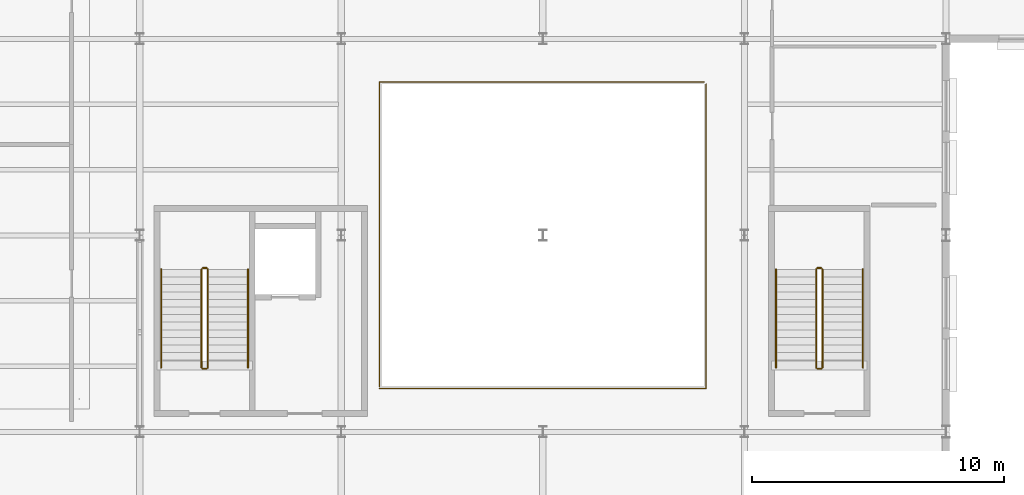
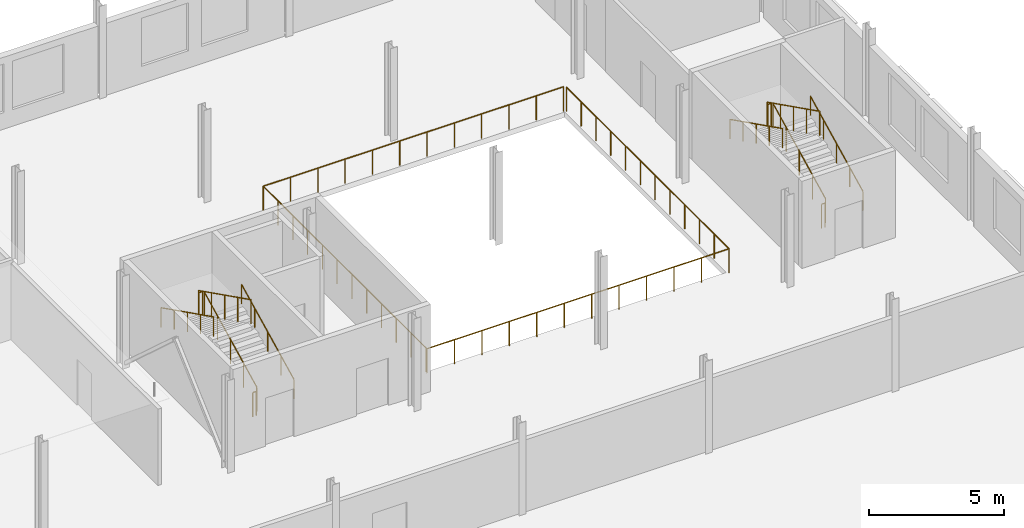
# One storey, part 73 of 75: 14 railings.
"""IFC4 building model written with IfcOpenShell, lengths in metres."""

from ifc_helpers import new_model, si_unit, direction, frame, origin, origin_2d, place, context, subcontext, project, spatial, circle, extrude, material, layer, layer_set, type_object, element, save


model = new_model("IFC4")

# Units and contexts
model_context = context("Model", 3, precision=1e-05, world=origin(), true_north=direction((0.0, 1.0)))
body_context = subcontext(model_context, "Body", "Model", "MODEL_VIEW")
ifc_project = project(units=[si_unit("LENGTHUNIT", "METRE"), si_unit("AREAUNIT", "SQUARE_METRE"), si_unit("VOLUMEUNIT", "CUBIC_METRE"), si_unit("PLANEANGLEUNIT", "RADIAN"), si_unit("MASSUNIT", "GRAM", prefix="KILO")], contexts=[model_context])

# Site, building, storey
site_placement = place(None, origin())
site = spatial("IfcSite", under=ifc_project, at=site_placement, CompositionType="ELEMENT")
building_placement = place(site_placement, origin())
building = spatial("IfcBuilding", under=site, at=building_placement, Name="Yukiwa Park Conservatory and Herbarium", CompositionType="ELEMENT")
storey_placement = place(building_placement, frame((0.0, 0.0, 4.800048828125)))
storey = spatial("IfcBuildingStorey", under=building, at=storey_placement, Name="L01", CompositionType="ELEMENT", Elevation=4.800048828125)

# Railings
ifc_material_1 = material(Name="Steel Q235B", Category="steel")
ifc_layer_1 = layer(ifc_material_1, 0.050048828125)
ifc_layer_set_1 = layer_set([ifc_layer_1], Name="Steel Q235B")
railing_type_1 = type_object("IfcRailingType", Name="RL-STAIR-GUARD-1120", PredefinedType="BALUSTRADE", material=ifc_layer_set_1)
railing_1_placement = place(storey_placement, frame((78.699951171875, 57.14990234375, 0.14990234375)))
element("IfcRailing", 1, at=railing_1_placement, inside=storey, type_object=railing_type_1, Name="L01 ST-V1 stair guard 1", PredefinedType="BALUSTRADE", context=body_context, shape_type="SweptSolid", body=[
    extrude(circle(Radius=0.02392578125, at=origin_2d()), frame((0.0, 0.0, 1.09619140625), z_axis=(0.0, 0.894438388696, 0.447191199406), x_axis=(-1.0, 0.0, 0.0)), (0.0, 0.0, 1.0), 4.3603515625),
    extrude(circle(Radius=0.02099609375, at=origin_2d()), origin(), (0.0, 0.0, 1.0), 1.072021484375),
    extrude(circle(Radius=0.02099609375, at=origin_2d()), frame((0.0, 0.97509765625, 0.487548828125)), (0.0, 0.0, 1.0), 1.072021484375),
    extrude(circle(Radius=0.02099609375, at=origin_2d()), frame((0.0, 1.9501953125, 0.97509765625)), (0.0, 0.0, 1.0), 1.072021484375),
    extrude(circle(Radius=0.02099609375, at=origin_2d()), frame((0.0, 2.925048828125, 1.46240234375)), (0.0, 0.0, 1.0), 1.072021484375),
    extrude(circle(Radius=0.02099609375, at=origin_2d()), frame((0.0, 3.900146484375, 1.949951171875)), (0.0, 0.0, 1.0), 1.072021484375),
])
railing_2_placement = place(storey_placement, frame((78.64990234375, 61.10009765625, 2.099853515625)))
element("IfcRailing", 2, at=railing_2_placement, inside=storey, type_object=railing_type_1, Name="L01 ST-V1 stair guard 2", PredefinedType="BALUSTRADE", context=body_context, shape_type="SweptSolid", body=[
    extrude(circle(Radius=0.02392578125, at=origin_2d()), frame((0.0, 0.0, 1.09619140625), z_axis=(-1.0, 0.0, 0.0), x_axis=(0.0, -1.0, 0.0)), (0.0, 0.0, 1.0), 0.14990234375),
    extrude(circle(Radius=0.02099609375, at=origin_2d()), origin(), (0.0, 0.0, 1.0), 1.072021484375),
    extrude(circle(Radius=0.02099609375, at=origin_2d()), frame((-0.14990234375, 0.0, 0.0)), (0.0, 0.0, 1.0), 1.072021484375),
])
railing_3_placement = place(storey_placement, frame((78.449951171875, 61.050048828125, 2.25)))
element("IfcRailing", 3, at=railing_3_placement, inside=storey, type_object=railing_type_1, Name="L01 ST-V1 stair guard 3", PredefinedType="BALUSTRADE", context=body_context, shape_type="SweptSolid", body=[
    extrude(circle(Radius=0.02392578125, at=origin_2d()), frame((0.0, 0.0, 1.09619140625), z_axis=(0.0, -0.894438388696, 0.447191199406), x_axis=(1.0, 0.0, 0.0)), (0.0, 0.0, 1.0), 4.3603515625),
    extrude(circle(Radius=0.02099609375, at=origin_2d()), origin(), (0.0, 0.0, 1.0), 1.072021484375),
    extrude(circle(Radius=0.02099609375, at=origin_2d()), frame((0.0, -0.97509765625, 0.487548828125)), (0.0, 0.0, 1.0), 1.072021484375),
    extrude(circle(Radius=0.02099609375, at=origin_2d()), frame((0.0, -1.9501953125, 0.97509765625)), (0.0, 0.0, 1.0), 1.072021484375),
    extrude(circle(Radius=0.02099609375, at=origin_2d()), frame((0.0, -2.925048828125, 1.46240234375)), (0.0, 0.0, 1.0), 1.072021484375),
    extrude(circle(Radius=0.02099609375, at=origin_2d()), frame((0.0, -3.900146484375, 1.949951171875)), (0.0, 0.0, 1.0), 1.072021484375),
])
railing_4_placement = place(storey_placement, frame((78.64990234375, 57.10009765625, 0.0)))
element("IfcRailing", 4, at=railing_4_placement, inside=storey, type_object=railing_type_1, Name="L01 ST-V1 stair guard 4", PredefinedType="BALUSTRADE", context=body_context, shape_type="SweptSolid", body=[
    extrude(circle(Radius=0.02392578125, at=origin_2d()), frame((0.0, 0.0, 1.09619140625), z_axis=(-1.0, 0.0, 0.0), x_axis=(0.0, -1.0, 0.0)), (0.0, 0.0, 1.0), 0.14990234375),
    extrude(circle(Radius=0.02099609375, at=origin_2d()), origin(), (0.0, 0.0, 1.0), 1.072021484375),
    extrude(circle(Radius=0.02099609375, at=origin_2d()), frame((-0.14990234375, 0.0, 0.0)), (0.0, 0.0, 1.0), 1.072021484375),
])
railing_5_placement = place(storey_placement, frame((103.10009765625, 57.14990234375, 0.14990234375)))
element("IfcRailing", 5, at=railing_5_placement, inside=storey, type_object=railing_type_1, Name="L01 ST-V2 stair guard 1", PredefinedType="BALUSTRADE", context=body_context, shape_type="SweptSolid", body=[
    extrude(circle(Radius=0.02392578125, at=origin_2d()), frame((0.0, 0.0, 1.09619140625), z_axis=(0.0, 0.894438388696, 0.447191199406), x_axis=(-1.0, 0.0, 0.0)), (0.0, 0.0, 1.0), 4.3603515625),
    extrude(circle(Radius=0.02099609375, at=origin_2d()), origin(), (0.0, 0.0, 1.0), 1.072021484375),
    extrude(circle(Radius=0.02099609375, at=origin_2d()), frame((0.0, 0.97509765625, 0.487548828125)), (0.0, 0.0, 1.0), 1.072021484375),
    extrude(circle(Radius=0.02099609375, at=origin_2d()), frame((0.0, 1.9501953125, 0.97509765625)), (0.0, 0.0, 1.0), 1.072021484375),
    extrude(circle(Radius=0.02099609375, at=origin_2d()), frame((0.0, 2.925048828125, 1.46240234375)), (0.0, 0.0, 1.0), 1.072021484375),
    extrude(circle(Radius=0.02099609375, at=origin_2d()), frame((0.0, 3.900146484375, 1.949951171875)), (0.0, 0.0, 1.0), 1.072021484375),
])
railing_6_placement = place(storey_placement, frame((103.050048828125, 61.10009765625, 2.099853515625)))
element("IfcRailing", 6, at=railing_6_placement, inside=storey, type_object=railing_type_1, Name="L01 ST-V2 stair guard 2", PredefinedType="BALUSTRADE", context=body_context, shape_type="SweptSolid", body=[
    extrude(circle(Radius=0.02392578125, at=origin_2d()), frame((0.0, 0.0, 1.09619140625), z_axis=(-1.0, 0.0, 0.0), x_axis=(0.0, -1.0, 0.0)), (0.0, 0.0, 1.0), 0.150146484375),
    extrude(circle(Radius=0.02099609375, at=origin_2d()), origin(), (0.0, 0.0, 1.0), 1.072021484375),
    extrude(circle(Radius=0.02099609375, at=origin_2d()), frame((-0.150146484375, 0.0, 0.0)), (0.0, 0.0, 1.0), 1.072021484375),
])
railing_7_placement = place(storey_placement, frame((102.85009765625, 61.050048828125, 2.25)))
element("IfcRailing", 7, at=railing_7_placement, inside=storey, type_object=railing_type_1, Name="L01 ST-V2 stair guard 3", PredefinedType="BALUSTRADE", context=body_context, shape_type="SweptSolid", body=[
    extrude(circle(Radius=0.02392578125, at=origin_2d()), frame((0.0, 0.0, 1.09619140625), z_axis=(0.0, -0.894438388696, 0.447191199406), x_axis=(1.0, 0.0, 0.0)), (0.0, 0.0, 1.0), 4.3603515625),
    extrude(circle(Radius=0.02099609375, at=origin_2d()), origin(), (0.0, 0.0, 1.0), 1.072021484375),
    extrude(circle(Radius=0.02099609375, at=origin_2d()), frame((0.0, -0.97509765625, 0.487548828125)), (0.0, 0.0, 1.0), 1.072021484375),
    extrude(circle(Radius=0.02099609375, at=origin_2d()), frame((0.0, -1.9501953125, 0.97509765625)), (0.0, 0.0, 1.0), 1.072021484375),
    extrude(circle(Radius=0.02099609375, at=origin_2d()), frame((0.0, -2.925048828125, 1.46240234375)), (0.0, 0.0, 1.0), 1.072021484375),
    extrude(circle(Radius=0.02099609375, at=origin_2d()), frame((0.0, -3.900146484375, 1.949951171875)), (0.0, 0.0, 1.0), 1.072021484375),
])
railing_8_placement = place(storey_placement, frame((103.050048828125, 57.10009765625, 0.0)))
element("IfcRailing", 8, at=railing_8_placement, inside=storey, type_object=railing_type_1, Name="L01 ST-V2 stair guard 4", PredefinedType="BALUSTRADE", context=body_context, shape_type="SweptSolid", body=[
    extrude(circle(Radius=0.02392578125, at=origin_2d()), frame((0.0, 0.0, 1.09619140625), z_axis=(-1.0, 0.0, 0.0), x_axis=(0.0, -1.0, 0.0)), (0.0, 0.0, 1.0), 0.150146484375),
    extrude(circle(Radius=0.02099609375, at=origin_2d()), origin(), (0.0, 0.0, 1.0), 1.072021484375),
    extrude(circle(Radius=0.02099609375, at=origin_2d()), frame((-0.150146484375, 0.0, 0.0)), (0.0, 0.0, 1.0), 1.072021484375),
])
ifc_material_2 = material(Name="Steel Q235B", Category="steel")
ifc_layer_2 = layer(ifc_material_2, 0.044921875)
ifc_layer_set_2 = layer_set([ifc_layer_2], Name="Steel Q235B")
railing_type_2 = type_object("IfcRailingType", Name="RL-STAIR-RAIL-900", PredefinedType="HANDRAIL", material=ifc_layer_set_2)
railing_9_placement = place(storey_placement, frame((80.300048828125, 57.14990234375, 0.14990234375)))
element("IfcRailing", 9, at=railing_9_placement, inside=storey, type_object=railing_type_2, Name="L01 ST-V1 stair handrail 1", PredefinedType="HANDRAIL", context=body_context, shape_type="SweptSolid", body=[
    extrude(circle(Radius=0.02392578125, at=origin_2d()), frame((0.0, 0.0, 0.8759765625), z_axis=(0.0, 0.894438388696, 0.447191199406), x_axis=(-1.0, 0.0, 0.0)), (0.0, 0.0, 1.0), 4.3603515625),
    extrude(circle(Radius=0.02099609375, at=origin_2d()), origin(), (0.0, 0.0, 1.0), 0.851806640625),
    extrude(circle(Radius=0.02099609375, at=origin_2d()), frame((0.0, 0.97509765625, 0.487548828125)), (0.0, 0.0, 1.0), 0.851806640625),
    extrude(circle(Radius=0.02099609375, at=origin_2d()), frame((0.0, 1.9501953125, 0.97509765625)), (0.0, 0.0, 1.0), 0.851806640625),
    extrude(circle(Radius=0.02099609375, at=origin_2d()), frame((0.0, 2.925048828125, 1.46240234375)), (0.0, 0.0, 1.0), 0.851806640625),
    extrude(circle(Radius=0.02099609375, at=origin_2d()), frame((0.0, 3.900146484375, 1.949951171875)), (0.0, 0.0, 1.0), 0.851806640625),
])
railing_10_placement = place(storey_placement, frame((76.85009765625, 61.050048828125, 2.25)))
element("IfcRailing", 10, at=railing_10_placement, inside=storey, type_object=railing_type_2, Name="L01 ST-V1 stair handrail 2", PredefinedType="HANDRAIL", context=body_context, shape_type="SweptSolid", body=[
    extrude(circle(Radius=0.02392578125, at=origin_2d()), frame((0.0, 0.0, 0.8759765625), z_axis=(0.0, -0.894438388696, 0.447191199406), x_axis=(1.0, 0.0, 0.0)), (0.0, 0.0, 1.0), 4.3603515625),
    extrude(circle(Radius=0.02099609375, at=origin_2d()), origin(), (0.0, 0.0, 1.0), 0.851806640625),
    extrude(circle(Radius=0.02099609375, at=origin_2d()), frame((0.0, -0.97509765625, 0.487548828125)), (0.0, 0.0, 1.0), 0.851806640625),
    extrude(circle(Radius=0.02099609375, at=origin_2d()), frame((0.0, -1.9501953125, 0.97509765625)), (0.0, 0.0, 1.0), 0.851806640625),
    extrude(circle(Radius=0.02099609375, at=origin_2d()), frame((0.0, -2.925048828125, 1.46240234375)), (0.0, 0.0, 1.0), 0.851806640625),
    extrude(circle(Radius=0.02099609375, at=origin_2d()), frame((0.0, -3.900146484375, 1.949951171875)), (0.0, 0.0, 1.0), 0.851806640625),
])
railing_11_placement = place(storey_placement, frame((104.699951171875, 57.14990234375, 0.14990234375)))
element("IfcRailing", 11, at=railing_11_placement, inside=storey, type_object=railing_type_2, Name="L01 ST-V2 stair handrail 1", PredefinedType="HANDRAIL", context=body_context, shape_type="SweptSolid", body=[
    extrude(circle(Radius=0.02392578125, at=origin_2d()), frame((0.0, 0.0, 0.8759765625), z_axis=(0.0, 0.894438388696, 0.447191199406), x_axis=(-1.0, 0.0, 0.0)), (0.0, 0.0, 1.0), 4.3603515625),
    extrude(circle(Radius=0.02099609375, at=origin_2d()), origin(), (0.0, 0.0, 1.0), 0.851806640625),
    extrude(circle(Radius=0.02099609375, at=origin_2d()), frame((0.0, 0.97509765625, 0.487548828125)), (0.0, 0.0, 1.0), 0.851806640625),
    extrude(circle(Radius=0.02099609375, at=origin_2d()), frame((0.0, 1.9501953125, 0.97509765625)), (0.0, 0.0, 1.0), 0.851806640625),
    extrude(circle(Radius=0.02099609375, at=origin_2d()), frame((0.0, 2.925048828125, 1.46240234375)), (0.0, 0.0, 1.0), 0.851806640625),
    extrude(circle(Radius=0.02099609375, at=origin_2d()), frame((0.0, 3.900146484375, 1.949951171875)), (0.0, 0.0, 1.0), 0.851806640625),
])
railing_12_placement = place(storey_placement, frame((101.25, 61.050048828125, 2.25)))
element("IfcRailing", 12, at=railing_12_placement, inside=storey, type_object=railing_type_2, Name="L01 ST-V2 stair handrail 2", PredefinedType="HANDRAIL", context=body_context, shape_type="SweptSolid", body=[
    extrude(circle(Radius=0.02392578125, at=origin_2d()), frame((0.0, 0.0, 0.8759765625), z_axis=(0.0, -0.894438388696, 0.447191199406), x_axis=(1.0, 0.0, 0.0)), (0.0, 0.0, 1.0), 4.3603515625),
    extrude(circle(Radius=0.02099609375, at=origin_2d()), origin(), (0.0, 0.0, 1.0), 0.851806640625),
    extrude(circle(Radius=0.02099609375, at=origin_2d()), frame((0.0, -0.97509765625, 0.487548828125)), (0.0, 0.0, 1.0), 0.851806640625),
    extrude(circle(Radius=0.02099609375, at=origin_2d()), frame((0.0, -1.9501953125, 0.97509765625)), (0.0, 0.0, 1.0), 0.851806640625),
    extrude(circle(Radius=0.02099609375, at=origin_2d()), frame((0.0, -2.925048828125, 1.46240234375)), (0.0, 0.0, 1.0), 0.851806640625),
    extrude(circle(Radius=0.02099609375, at=origin_2d()), frame((0.0, -3.900146484375, 1.949951171875)), (0.0, 0.0, 1.0), 0.851806640625),
])
ifc_material_3 = material(Name="Laminated Tempered Safety Glass", Category="glass")
ifc_layer_3 = layer(ifc_material_3, 0.06005859375)
ifc_layer_set_3 = layer_set([ifc_layer_3], Name="Laminated Tempered Safety Glass")
railing_type_3 = type_object("IfcRailingType", Name="RL-VOID-GUARD-1120", PredefinedType="BALUSTRADE", material=ifc_layer_set_3)
railing_13_placement = place(storey_placement, frame((85.52001953125, 56.320068359375, 0.0)))
element("IfcRailing", 13, at=railing_13_placement, inside=storey, type_object=railing_type_3, Name="L01 interior atrium and mezzanine balustrade RL-INT-L01-V3VOID-A", PredefinedType="BALUSTRADE", context=body_context, shape_type="SweptSolid", body=[
    extrude(circle(Radius=0.02392578125, at=origin_2d()), frame((0.0, 0.0, 1.09619140625), z_axis=(1.0, 0.0, 0.0), x_axis=(0.0, 1.0, 0.0)), (0.0, 0.0, 1.0), 12.9599609375),
    extrude(circle(Radius=0.02392578125, at=origin_2d()), frame((12.9599609375, 0.0, 1.09619140625), z_axis=(0.0, 1.0, 0.0), x_axis=(-1.0, 0.0, 0.0)), (0.0, 0.0, 1.0), 12.079833984375),
    extrude(circle(Radius=0.02099609375, at=origin_2d()), origin(), (0.0, 0.0, 1.0), 1.072021484375),
    extrude(circle(Radius=0.02099609375, at=origin_2d()), frame((1.17822265625, 0.0, 0.0)), (0.0, 0.0, 1.0), 1.072021484375),
    extrude(circle(Radius=0.02099609375, at=origin_2d()), frame((2.3564453125, 0.0, 0.0)), (0.0, 0.0, 1.0), 1.072021484375),
    extrude(circle(Radius=0.02099609375, at=origin_2d()), frame((3.534423828125, 0.0, 0.0)), (0.0, 0.0, 1.0), 1.072021484375),
    extrude(circle(Radius=0.02099609375, at=origin_2d()), frame((4.712646484375, 0.0, 0.0)), (0.0, 0.0, 1.0), 1.072021484375),
    extrude(circle(Radius=0.02099609375, at=origin_2d()), frame((5.890869140625, 0.0, 0.0)), (0.0, 0.0, 1.0), 1.072021484375),
    extrude(circle(Radius=0.02099609375, at=origin_2d()), frame((7.069091796875, 0.0, 0.0)), (0.0, 0.0, 1.0), 1.072021484375),
    extrude(circle(Radius=0.02099609375, at=origin_2d()), frame((8.247314453125, 0.0, 0.0)), (0.0, 0.0, 1.0), 1.072021484375),
    extrude(circle(Radius=0.02099609375, at=origin_2d()), frame((9.425537109375, 0.0, 0.0)), (0.0, 0.0, 1.0), 1.072021484375),
    extrude(circle(Radius=0.02099609375, at=origin_2d()), frame((10.603515625, 0.0, 0.0)), (0.0, 0.0, 1.0), 1.072021484375),
    extrude(circle(Radius=0.02099609375, at=origin_2d()), frame((11.78173828125, 0.0, 0.0)), (0.0, 0.0, 1.0), 1.072021484375),
    extrude(circle(Radius=0.02099609375, at=origin_2d()), frame((12.9599609375, 0.0, 0.0)), (0.0, 0.0, 1.0), 1.072021484375),
    extrude(circle(Radius=0.02099609375, at=origin_2d()), frame((12.9599609375, 1.09814453125, 0.0)), (0.0, 0.0, 1.0), 1.072021484375),
    extrude(circle(Radius=0.02099609375, at=origin_2d()), frame((12.9599609375, 2.1962890625, 0.0)), (0.0, 0.0, 1.0), 1.072021484375),
    extrude(circle(Radius=0.02099609375, at=origin_2d()), frame((12.9599609375, 3.29443359375, 0.0)), (0.0, 0.0, 1.0), 1.072021484375),
    extrude(circle(Radius=0.02099609375, at=origin_2d()), frame((12.9599609375, 4.392578125, 0.0)), (0.0, 0.0, 1.0), 1.072021484375),
    extrude(circle(Radius=0.02099609375, at=origin_2d()), frame((12.9599609375, 5.49072265625, 0.0)), (0.0, 0.0, 1.0), 1.072021484375),
    extrude(circle(Radius=0.02099609375, at=origin_2d()), frame((12.9599609375, 6.589111328125, 0.0)), (0.0, 0.0, 1.0), 1.072021484375),
    extrude(circle(Radius=0.02099609375, at=origin_2d()), frame((12.9599609375, 7.687255859375, 0.0)), (0.0, 0.0, 1.0), 1.072021484375),
    extrude(circle(Radius=0.02099609375, at=origin_2d()), frame((12.9599609375, 8.785400390625, 0.0)), (0.0, 0.0, 1.0), 1.072021484375),
    extrude(circle(Radius=0.02099609375, at=origin_2d()), frame((12.9599609375, 9.883544921875, 0.0)), (0.0, 0.0, 1.0), 1.072021484375),
    extrude(circle(Radius=0.02099609375, at=origin_2d()), frame((12.9599609375, 10.981689453125, 0.0)), (0.0, 0.0, 1.0), 1.072021484375),
    extrude(circle(Radius=0.02099609375, at=origin_2d()), frame((12.9599609375, 12.079833984375, 0.0)), (0.0, 0.0, 1.0), 1.072021484375),
])
railing_14_placement = place(storey_placement, frame((98.39990234375, 68.47998046875, 0.0)))
element("IfcRailing", 14, at=railing_14_placement, inside=storey, type_object=railing_type_3, Name="L01 interior atrium and mezzanine balustrade RL-INT-L01-V3VOID-B", PredefinedType="BALUSTRADE", context=body_context, shape_type="SweptSolid", body=[
    extrude(circle(Radius=0.02392578125, at=origin_2d()), frame((0.0, 0.0, 1.09619140625), z_axis=(-1.0, 0.0, 0.0), x_axis=(0.0, -1.0, 0.0)), (0.0, 0.0, 1.0), 12.8798828125),
    extrude(circle(Radius=0.02392578125, at=origin_2d()), frame((-12.8798828125, 0.0, 1.09619140625), z_axis=(0.0, -1.0, 0.0), x_axis=(1.0, 0.0, 0.0)), (0.0, 0.0, 1.0), 12.080078125),
    extrude(circle(Radius=0.02099609375, at=origin_2d()), origin(), (0.0, 0.0, 1.0), 1.072021484375),
    extrude(circle(Radius=0.02099609375, at=origin_2d()), frame((-1.1708984375, 0.0, 0.0)), (0.0, 0.0, 1.0), 1.072021484375),
    extrude(circle(Radius=0.02099609375, at=origin_2d()), frame((-2.341796875, 0.0, 0.0)), (0.0, 0.0, 1.0), 1.072021484375),
    extrude(circle(Radius=0.02099609375, at=origin_2d()), frame((-3.5126953125, 0.0, 0.0)), (0.0, 0.0, 1.0), 1.072021484375),
    extrude(circle(Radius=0.02099609375, at=origin_2d()), frame((-4.68359375, 0.0, 0.0)), (0.0, 0.0, 1.0), 1.072021484375),
    extrude(circle(Radius=0.02099609375, at=origin_2d()), frame((-5.8544921875, 0.0, 0.0)), (0.0, 0.0, 1.0), 1.072021484375),
    extrude(circle(Radius=0.02099609375, at=origin_2d()), frame((-7.025390625, 0.0, 0.0)), (0.0, 0.0, 1.0), 1.072021484375),
    extrude(circle(Radius=0.02099609375, at=origin_2d()), frame((-8.1962890625, 0.0, 0.0)), (0.0, 0.0, 1.0), 1.072021484375),
    extrude(circle(Radius=0.02099609375, at=origin_2d()), frame((-9.3671875, 0.0, 0.0)), (0.0, 0.0, 1.0), 1.072021484375),
    extrude(circle(Radius=0.02099609375, at=origin_2d()), frame((-10.5380859375, 0.0, 0.0)), (0.0, 0.0, 1.0), 1.072021484375),
    extrude(circle(Radius=0.02099609375, at=origin_2d()), frame((-11.708984375, 0.0, 0.0)), (0.0, 0.0, 1.0), 1.072021484375),
    extrude(circle(Radius=0.02099609375, at=origin_2d()), frame((-12.8798828125, 0.0, 0.0)), (0.0, 0.0, 1.0), 1.072021484375),
    extrude(circle(Radius=0.02099609375, at=origin_2d()), frame((-12.8798828125, -1.09814453125, 0.0)), (0.0, 0.0, 1.0), 1.072021484375),
    extrude(circle(Radius=0.02099609375, at=origin_2d()), frame((-12.8798828125, -2.1962890625, 0.0)), (0.0, 0.0, 1.0), 1.072021484375),
    extrude(circle(Radius=0.02099609375, at=origin_2d()), frame((-12.8798828125, -3.294677734375, 0.0)), (0.0, 0.0, 1.0), 1.072021484375),
    extrude(circle(Radius=0.02099609375, at=origin_2d()), frame((-12.8798828125, -4.392822265625, 0.0)), (0.0, 0.0, 1.0), 1.072021484375),
    extrude(circle(Radius=0.02099609375, at=origin_2d()), frame((-12.8798828125, -5.490966796875, 0.0)), (0.0, 0.0, 1.0), 1.072021484375),
    extrude(circle(Radius=0.02099609375, at=origin_2d()), frame((-12.8798828125, -6.589111328125, 0.0)), (0.0, 0.0, 1.0), 1.072021484375),
    extrude(circle(Radius=0.02099609375, at=origin_2d()), frame((-12.8798828125, -7.687255859375, 0.0)), (0.0, 0.0, 1.0), 1.072021484375),
    extrude(circle(Radius=0.02099609375, at=origin_2d()), frame((-12.8798828125, -8.785400390625, 0.0)), (0.0, 0.0, 1.0), 1.072021484375),
    extrude(circle(Radius=0.02099609375, at=origin_2d()), frame((-12.8798828125, -9.8837890625, 0.0)), (0.0, 0.0, 1.0), 1.072021484375),
    extrude(circle(Radius=0.02099609375, at=origin_2d()), frame((-12.8798828125, -10.98193359375, 0.0)), (0.0, 0.0, 1.0), 1.072021484375),
    extrude(circle(Radius=0.02099609375, at=origin_2d()), frame((-12.8798828125, -12.080078125, 0.0)), (0.0, 0.0, 1.0), 1.072021484375),
])

save(model, "model.ifc")
